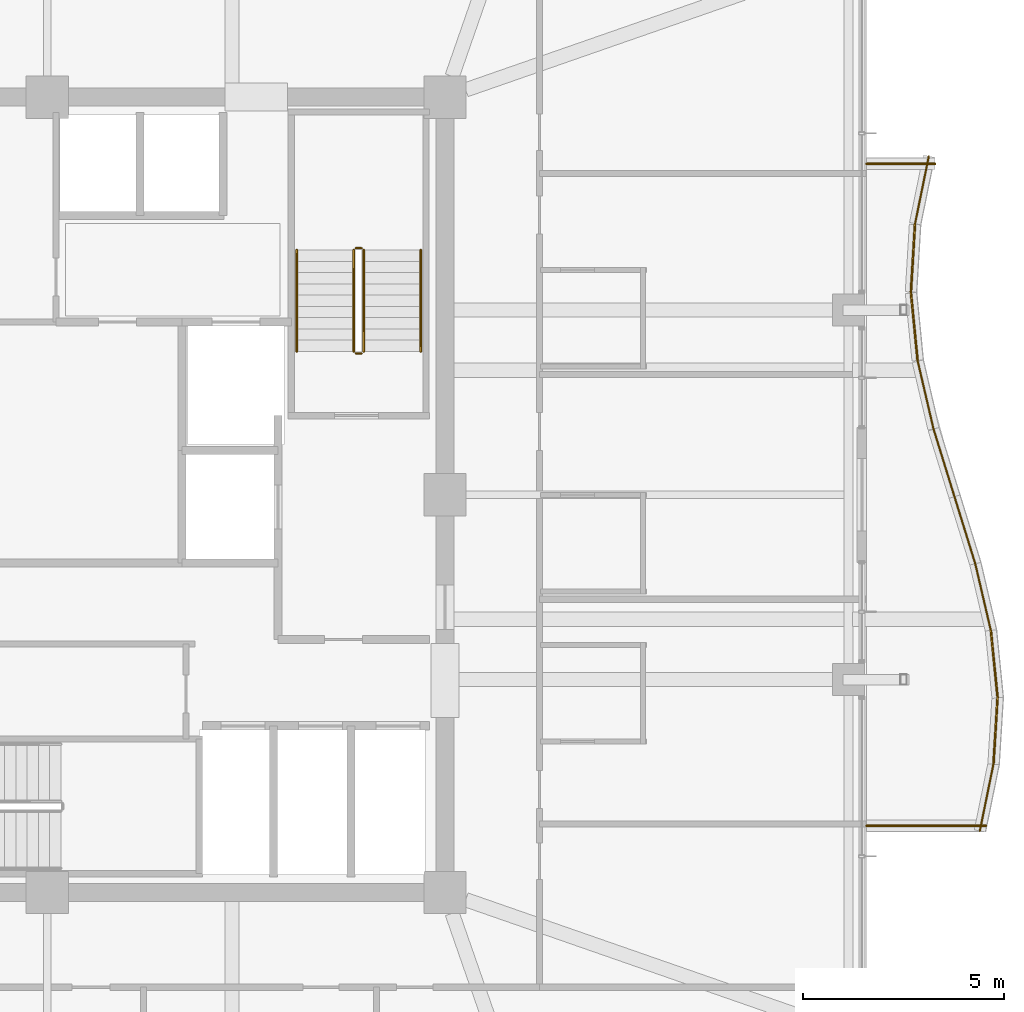
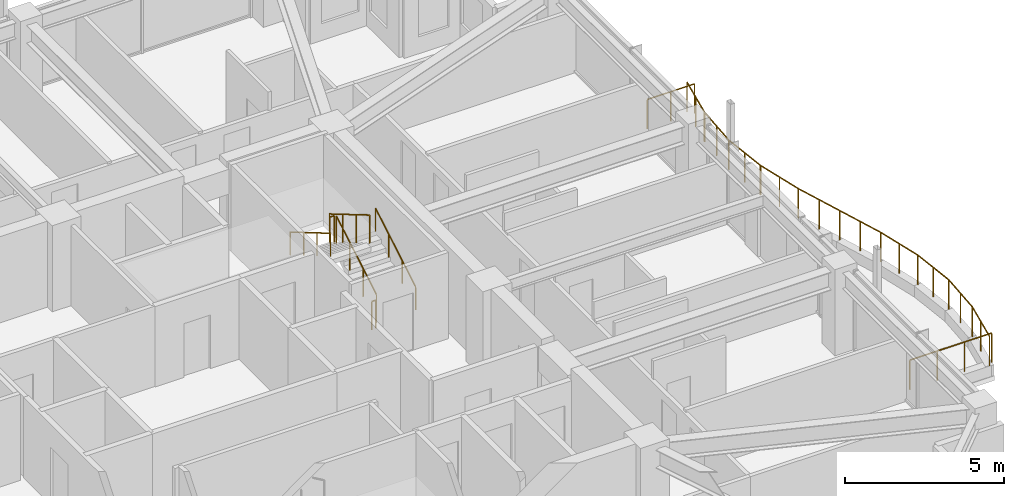
# One storey, part 35 of 35: 18 railings.
"""IFC4 building model written with IfcOpenShell, lengths in metres."""

from ifc_helpers import new_model, si_unit, direction, frame, origin, origin_2d, place, context, subcontext, project, spatial, circle, extrude, material, type_object, element, save


model = new_model("IFC4")

# Units and contexts
model_context = context("Model", 3, precision=1e-05, world=origin(), true_north=direction((0.0, 1.0)))
body_context = subcontext(model_context, "Body", "Model", "MODEL_VIEW")
ifc_project = project(units=[si_unit("LENGTHUNIT", "METRE"), si_unit("AREAUNIT", "SQUARE_METRE"), si_unit("VOLUMEUNIT", "CUBIC_METRE"), si_unit("PLANEANGLEUNIT", "RADIAN"), si_unit("MASSUNIT", "GRAM", prefix="KILO")], contexts=[model_context])

# Site, building, storey
site_placement = place(None, origin())
site = spatial("IfcSite", under=ifc_project, at=site_placement, CompositionType="ELEMENT")
building_placement = place(site_placement, origin())
building = spatial("IfcBuilding", under=site, at=building_placement, Name="Kolvaren Belvedere", CompositionType="ELEMENT")
storey_placement = place(building_placement, frame((0.0, 0.0, 216.300048828125)))
storey = spatial("IfcBuildingStorey", under=building, at=storey_placement, Name="L63", CompositionType="ELEMENT", Elevation=216.300048828125)

# Railings
ifc_material_1 = material(Name="Anodised pale-metal aluminium & laminated glass guard", Category="aluminium")
railing_type_1 = type_object("IfcRailingType", Name="RL-GUARD-1150", PredefinedType="GUARDRAIL", material=ifc_material_1)
railing_1_placement = place(storey_placement, frame((23.218017578125, -8.367919921875, 0.3798828125)))
element("IfcRailing", 1, at=railing_1_placement, inside=storey, type_object=railing_type_1, Name="L63 Exterior Deck Safety Guard BAL-E-1", PredefinedType="GUARDRAIL", context=body_context, shape_type="SweptSolid", body=[
    extrude(circle(Radius=0.02392578125, at=origin_2d()), frame((0.0, 0.0, 1.1259765625), z_axis=(0.199647526069, 0.979867779516, 0.0), x_axis=(-0.979867779516, 0.199647526069, 0.0)), (0.0, 0.0, 1.0), 1.71435546875),
    extrude(circle(Radius=0.02099609375, at=origin_2d()), origin(), (0.0, 0.0, 1.0), 1.101806640625),
    extrude(circle(Radius=0.02099609375, at=origin_2d()), frame((0.171142578125, 0.83984375, 0.0)), (0.0, 0.0, 1.0), 1.101806640625),
    extrude(circle(Radius=0.02099609375, at=origin_2d()), frame((0.34228515625, 1.679931640625, 0.0)), (0.0, 0.0, 1.0), 1.101806640625),
])
railing_2_placement = place(storey_placement, frame((23.5576171875, -6.710205078125, 0.3798828125)))
element("IfcRailing", 2, at=railing_2_placement, inside=storey, type_object=railing_type_1, Name="L63 Exterior Deck Safety Guard BAL-E-2", PredefinedType="GUARDRAIL", context=body_context, shape_type="SweptSolid", body=[
    extrude(circle(Radius=0.02392578125, at=origin_2d()), frame((0.0, 0.0, 1.1259765625), z_axis=(0.061068773295, 0.998133560666, 0.0), x_axis=(-0.998133560666, 0.061068773295, 0.0)), (0.0, 0.0, 1.0), 1.68310546875),
    extrude(circle(Radius=0.02099609375, at=origin_2d()), origin(), (0.0, 0.0, 1.0), 1.101806640625),
    extrude(circle(Radius=0.02099609375, at=origin_2d()), frame((0.05126953125, 0.83984375, 0.0)), (0.0, 0.0, 1.0), 1.101806640625),
    extrude(circle(Radius=0.02099609375, at=origin_2d()), frame((0.102783203125, 1.679931640625, 0.0)), (0.0, 0.0, 1.0), 1.101806640625),
])
railing_3_placement = place(storey_placement, frame((23.660888671875, -5.055908203125, 0.3798828125)))
element("IfcRailing", 3, at=railing_3_placement, inside=storey, type_object=railing_type_1, Name="L63 Exterior Deck Safety Guard BAL-E-3", PredefinedType="GUARDRAIL", context=body_context, shape_type="SweptSolid", body=[
    extrude(circle(Radius=0.02392578125, at=origin_2d()), frame((0.0, 0.0, 1.1259765625), z_axis=(-0.099632573776, 0.995024296308, 0.0), x_axis=(-0.995024296308, -0.099632573776, 0.0)), (0.0, 0.0, 1.0), 1.688232421875),
    extrude(circle(Radius=0.02099609375, at=origin_2d()), origin(), (0.0, 0.0, 1.0), 1.101806640625),
    extrude(circle(Radius=0.02099609375, at=origin_2d()), frame((-0.083984375, 0.83984375, 0.0)), (0.0, 0.0, 1.0), 1.101806640625),
    extrude(circle(Radius=0.02099609375, at=origin_2d()), frame((-0.168212890625, 1.679931640625, 0.0)), (0.0, 0.0, 1.0), 1.101806640625),
])
railing_4_placement = place(storey_placement, frame((23.49609375, -3.396240234375, 0.3798828125)))
element("IfcRailing", 4, at=railing_4_placement, inside=storey, type_object=railing_type_1, Name="L63 Exterior Deck Safety Guard BAL-E-4", PredefinedType="GUARDRAIL", context=body_context, shape_type="SweptSolid", body=[
    extrude(circle(Radius=0.02392578125, at=origin_2d()), frame((0.0, 0.0, 1.1259765625), z_axis=(-0.227019323824, 0.973890253884, 0.0), x_axis=(-0.973890253884, -0.227019323824, 0.0)), (0.0, 0.0, 1.0), 1.724853515625),
    extrude(circle(Radius=0.02099609375, at=origin_2d()), origin(), (0.0, 0.0, 1.0), 1.101806640625),
    extrude(circle(Radius=0.02099609375, at=origin_2d()), frame((-0.19580078125, 0.83984375, 0.0)), (0.0, 0.0, 1.0), 1.101806640625),
    extrude(circle(Radius=0.02099609375, at=origin_2d()), frame((-0.3916015625, 1.679931640625, 0.0)), (0.0, 0.0, 1.0), 1.101806640625),
])
railing_5_placement = place(storey_placement, frame((23.107421875, -1.727294921875, 0.3798828125)))
element("IfcRailing", 5, at=railing_5_placement, inside=storey, type_object=railing_type_1, Name="L63 Exterior Deck Safety Guard BAL-E-5", PredefinedType="GUARDRAIL", context=body_context, shape_type="SweptSolid", body=[
    extrude(circle(Radius=0.02392578125, at=origin_2d()), frame((0.0, 0.0, 1.1259765625), z_axis=(-0.295831524561, 0.95524013163, 0.0), x_axis=(-0.95524013163, -0.295831524561, 0.0)), (0.0, 0.0, 1.0), 1.758544921875),
    extrude(circle(Radius=0.02099609375, at=origin_2d()), origin(), (0.0, 0.0, 1.0), 1.101806640625),
    extrude(circle(Radius=0.02099609375, at=origin_2d()), frame((-0.26025390625, 0.83984375, 0.0)), (0.0, 0.0, 1.0), 1.101806640625),
    extrude(circle(Radius=0.02099609375, at=origin_2d()), frame((-0.520263671875, 1.679931640625, 0.0)), (0.0, 0.0, 1.0), 1.101806640625),
])
railing_6_placement = place(storey_placement, frame((22.587158203125, -0.04736328125, 0.3798828125)))
element("IfcRailing", 6, at=railing_6_placement, inside=storey, type_object=railing_type_1, Name="L63 Exterior Deck Safety Guard BAL-E-6", PredefinedType="GUARDRAIL", context=body_context, shape_type="SweptSolid", body=[
    extrude(circle(Radius=0.02392578125, at=origin_2d()), frame((0.0, 0.0, 1.1259765625), z_axis=(-0.29579229954, 0.955252278476, 0.0), x_axis=(-0.955252278476, -0.29579229954, 0.0)), (0.0, 0.0, 1.0), 1.7587890625),
    extrude(circle(Radius=0.02099609375, at=origin_2d()), origin(), (0.0, 0.0, 1.0), 1.101806640625),
    extrude(circle(Radius=0.02099609375, at=origin_2d()), frame((-0.26025390625, 0.840087890625, 0.0)), (0.0, 0.0, 1.0), 1.101806640625),
    extrude(circle(Radius=0.02099609375, at=origin_2d()), frame((-0.520263671875, 1.68017578125, 0.0)), (0.0, 0.0, 1.0), 1.101806640625),
])
railing_7_placement = place(storey_placement, frame((22.06396484375, 1.643798828125, 0.3798828125)))
element("IfcRailing", 7, at=railing_7_placement, inside=storey, type_object=railing_type_1, Name="L63 Exterior Deck Safety Guard BAL-E-7", PredefinedType="GUARDRAIL", context=body_context, shape_type="SweptSolid", body=[
    extrude(circle(Radius=0.02392578125, at=origin_2d()), frame((0.0, 0.0, 1.1259765625), z_axis=(-0.227019323824, 0.973890253884, 0.0), x_axis=(-0.973890253884, -0.227019323824, 0.0)), (0.0, 0.0, 1.0), 1.724853515625),
    extrude(circle(Radius=0.02099609375, at=origin_2d()), origin(), (0.0, 0.0, 1.0), 1.101806640625),
    extrude(circle(Radius=0.02099609375, at=origin_2d()), frame((-0.19580078125, 0.83984375, 0.0)), (0.0, 0.0, 1.0), 1.101806640625),
    extrude(circle(Radius=0.02099609375, at=origin_2d()), frame((-0.3916015625, 1.679931640625, 0.0)), (0.0, 0.0, 1.0), 1.101806640625),
])
railing_8_placement = place(storey_placement, frame((21.6689453125, 3.34423828125, 0.3798828125)))
element("IfcRailing", 8, at=railing_8_placement, inside=storey, type_object=railing_type_1, Name="L63 Exterior Deck Safety Guard BAL-E-8", PredefinedType="GUARDRAIL", context=body_context, shape_type="SweptSolid", body=[
    extrude(circle(Radius=0.02392578125, at=origin_2d()), frame((0.0, 0.0, 1.1259765625), z_axis=(-0.098329649867, 0.995153897624, 0.0), x_axis=(-0.995153897624, -0.098329649867, 0.0)), (0.0, 0.0, 1.0), 1.6884765625),
    extrude(circle(Radius=0.02099609375, at=origin_2d()), origin(), (0.0, 0.0, 1.0), 1.101806640625),
    extrude(circle(Radius=0.02099609375, at=origin_2d()), frame((-0.0830078125, 0.840087890625, 0.0)), (0.0, 0.0, 1.0), 1.101806640625),
    extrude(circle(Radius=0.02099609375, at=origin_2d()), frame((-0.166015625, 1.68017578125, 0.0)), (0.0, 0.0, 1.0), 1.101806640625),
])
railing_9_placement = place(storey_placement, frame((21.50244140625, 5.049560546875, 0.3798828125)))
element("IfcRailing", 9, at=railing_9_placement, inside=storey, type_object=railing_type_1, Name="L63 Exterior Deck Safety Guard BAL-E-9", PredefinedType="GUARDRAIL", context=body_context, shape_type="SweptSolid", body=[
    extrude(circle(Radius=0.02392578125, at=origin_2d()), frame((0.0, 0.0, 1.1259765625), z_axis=(0.059767979379, 0.998212296378, 0.0), x_axis=(-0.998212296378, 0.059767979379, 0.0)), (0.0, 0.0, 1.0), 1.682861328125),
    extrude(circle(Radius=0.02099609375, at=origin_2d()), origin(), (0.0, 0.0, 1.0), 1.101806640625),
    extrude(circle(Radius=0.02099609375, at=origin_2d()), frame((0.05029296875, 0.83984375, 0.0)), (0.0, 0.0, 1.0), 1.101806640625),
    extrude(circle(Radius=0.02099609375, at=origin_2d()), frame((0.1005859375, 1.679931640625, 0.0)), (0.0, 0.0, 1.0), 1.101806640625),
])
railing_10_placement = place(storey_placement, frame((21.60595703125, 6.751953125, 0.3798828125)))
element("IfcRailing", 10, at=railing_10_placement, inside=storey, type_object=railing_type_1, Name="L63 Exterior Deck Safety Guard BAL-E-10", PredefinedType="GUARDRAIL", context=body_context, shape_type="SweptSolid", body=[
    extrude(circle(Radius=0.02392578125, at=origin_2d()), frame((0.0, 0.0, 1.1259765625), z_axis=(0.199784246163, 0.979839912937, 0.0), x_axis=(-0.979839912937, 0.199784246163, 0.0)), (0.0, 0.0, 1.0), 1.714599609375),
    extrude(circle(Radius=0.02099609375, at=origin_2d()), origin(), (0.0, 0.0, 1.0), 1.101806640625),
    extrude(circle(Radius=0.02099609375, at=origin_2d()), frame((0.17138671875, 0.83984375, 0.0)), (0.0, 0.0, 1.0), 1.101806640625),
    extrude(circle(Radius=0.02099609375, at=origin_2d()), frame((0.342529296875, 1.679931640625, 0.0)), (0.0, 0.0, 1.0), 1.101806640625),
])
railing_11_placement = place(storey_placement, frame((22.105224609375, 8.239990234375, 0.3798828125)))
element("IfcRailing", 11, at=railing_11_placement, inside=storey, type_object=railing_type_1, Name="L63 Exterior Deck Safety Guard BAL-E-11", PredefinedType="GUARDRAIL", context=body_context, shape_type="SweptSolid", body=[
    extrude(circle(Radius=0.02392578125, at=origin_2d()), frame((0.0, 0.0, 1.1259765625), z_axis=(-1.0, 0.0, 0.0), x_axis=(0.0, -1.0, 0.0)), (0.0, 0.0, 1.0), 1.705322265625),
    extrude(circle(Radius=0.02099609375, at=origin_2d()), origin(), (0.0, 0.0, 1.0), 1.101806640625),
    extrude(circle(Radius=0.02099609375, at=origin_2d()), frame((-0.8525390625, 0.0, 0.0)), (0.0, 0.0, 1.0), 1.101806640625),
    extrude(circle(Radius=0.02099609375, at=origin_2d()), frame((-1.705322265625, 0.0, 0.0)), (0.0, 0.0, 1.0), 1.101806640625),
])
railing_12_placement = place(storey_placement, frame((20.39990234375, -8.239990234375, 0.3798828125)))
element("IfcRailing", 12, at=railing_12_placement, inside=storey, type_object=railing_type_1, Name="L63 Exterior Deck Safety Guard BAL-E-22", PredefinedType="GUARDRAIL", context=body_context, shape_type="SweptSolid", body=[
    extrude(circle(Radius=0.02392578125, at=origin_2d()), frame((0.0, 0.0, 1.1259765625), z_axis=(1.0, 0.0, 0.0), x_axis=(0.0, 1.0, 0.0)), (0.0, 0.0, 1.0), 2.974853515625),
    extrude(circle(Radius=0.02099609375, at=origin_2d()), origin(), (0.0, 0.0, 1.0), 1.101806640625),
    extrude(circle(Radius=0.02099609375, at=origin_2d()), frame((0.99169921875, 0.0, 0.0)), (0.0, 0.0, 1.0), 1.101806640625),
    extrude(circle(Radius=0.02099609375, at=origin_2d()), frame((1.983154296875, 0.0, 0.0)), (0.0, 0.0, 1.0), 1.101806640625),
    extrude(circle(Radius=0.02099609375, at=origin_2d()), frame((2.974853515625, 0.0, 0.0)), (0.0, 0.0, 1.0), 1.101806640625),
])
ifc_material_2 = material(Name="Brushed stainless-steel handrail", Category="steel")
railing_type_2 = type_object("IfcRailingType", Name="RL-HANDRAIL-920", PredefinedType="HANDRAIL", material=ifc_material_2)
railing_13_placement = place(storey_placement, frame((9.300048828125, 3.570068359375, 0.1650390625)))
element("IfcRailing", 13, at=railing_13_placement, inside=storey, type_object=railing_type_2, Name="L63 ST-2 stair handrail 1", PredefinedType="HANDRAIL", context=body_context, shape_type="SweptSolid", body=[
    extrude(circle(Radius=0.02392578125, at=origin_2d()), frame((0.0, 0.0, 0.8759765625), z_axis=(0.0, 0.861560626758, 0.507654692109), x_axis=(-1.0, 0.0, 0.0)), (0.0, 0.0, 1.0), 2.925048828125),
    extrude(circle(Radius=0.02099609375, at=origin_2d()), origin(), (0.0, 0.0, 1.0), 0.851806640625),
    extrude(circle(Radius=0.02099609375, at=origin_2d()), frame((0.0, 0.840087890625, 0.494873046875)), (0.0, 0.0, 1.0), 0.851806640625),
    extrude(circle(Radius=0.02099609375, at=origin_2d()), frame((0.0, 1.679931640625, 0.989990234375)), (0.0, 0.0, 1.0), 0.851806640625),
    extrude(circle(Radius=0.02099609375, at=origin_2d()), frame((0.0, 2.52001953125, 1.48486328125)), (0.0, 0.0, 1.0), 0.851806640625),
])
railing_14_placement = place(storey_placement, frame((6.2099609375, 6.090087890625, 1.81494140625)))
element("IfcRailing", 14, at=railing_14_placement, inside=storey, type_object=railing_type_2, Name="L63 ST-2 stair handrail 2", PredefinedType="HANDRAIL", context=body_context, shape_type="SweptSolid", body=[
    extrude(circle(Radius=0.02392578125, at=origin_2d()), frame((0.0, 0.0, 0.8759765625), z_axis=(0.0, -0.86152411907, 0.507716645641), x_axis=(1.0, 0.0, 0.0)), (0.0, 0.0, 1.0), 2.925048828125),
    extrude(circle(Radius=0.02099609375, at=origin_2d()), origin(), (0.0, 0.0, 1.0), 0.851806640625),
    extrude(circle(Radius=0.02099609375, at=origin_2d()), frame((0.0, -0.840087890625, 0.4951171875)), (0.0, 0.0, 1.0), 0.851806640625),
    extrude(circle(Radius=0.02099609375, at=origin_2d()), frame((0.0, -1.679931640625, 0.989990234375)), (0.0, 0.0, 1.0), 0.851806640625),
    extrude(circle(Radius=0.02099609375, at=origin_2d()), frame((0.0, -2.52001953125, 1.485107421875)), (0.0, 0.0, 1.0), 0.851806640625),
])
ifc_material_3 = material(Name="Painted tubular steel stair guard", Category="steel")
railing_type_3 = type_object("IfcRailingType", Name="RL-STGUARD-1100", PredefinedType="GUARDRAIL", material=ifc_material_3)
railing_15_placement = place(storey_placement, frame((7.8798828125, 3.570068359375, 0.1650390625)))
element("IfcRailing", 15, at=railing_15_placement, inside=storey, type_object=railing_type_3, Name="L63 ST-2 stair guard 1", PredefinedType="GUARDRAIL", context=body_context, shape_type="SweptSolid", body=[
    extrude(circle(Radius=0.02392578125, at=origin_2d()), frame((0.0, 0.0, 1.076171875), z_axis=(0.0, 0.861560626758, 0.507654692109), x_axis=(-1.0, 0.0, 0.0)), (0.0, 0.0, 1.0), 2.925048828125),
    extrude(circle(Radius=0.02099609375, at=origin_2d()), origin(), (0.0, 0.0, 1.0), 1.052001953125),
    extrude(circle(Radius=0.02099609375, at=origin_2d()), frame((0.0, 0.840087890625, 0.494873046875)), (0.0, 0.0, 1.0), 1.052001953125),
    extrude(circle(Radius=0.02099609375, at=origin_2d()), frame((0.0, 1.679931640625, 0.989990234375)), (0.0, 0.0, 1.0), 1.052001953125),
    extrude(circle(Radius=0.02099609375, at=origin_2d()), frame((0.0, 2.52001953125, 1.48486328125)), (0.0, 0.0, 1.0), 1.052001953125),
])
railing_16_placement = place(storey_placement, frame((7.830078125, 6.139892578125, 1.64990234375)))
element("IfcRailing", 16, at=railing_16_placement, inside=storey, type_object=railing_type_3, Name="L63 ST-2 stair guard 2", PredefinedType="GUARDRAIL", context=body_context, shape_type="SweptSolid", body=[
    extrude(circle(Radius=0.02392578125, at=origin_2d()), frame((0.0, 0.0, 1.076171875), z_axis=(-1.0, 0.0, 0.0), x_axis=(0.0, -1.0, 0.0)), (0.0, 0.0, 1.0), 0.150146484375),
    extrude(circle(Radius=0.02099609375, at=origin_2d()), origin(), (0.0, 0.0, 1.0), 1.052001953125),
    extrude(circle(Radius=0.02099609375, at=origin_2d()), frame((-0.150146484375, 0.0, 0.0)), (0.0, 0.0, 1.0), 1.052001953125),
])
railing_17_placement = place(storey_placement, frame((7.6298828125, 6.090087890625, 1.81494140625)))
element("IfcRailing", 17, at=railing_17_placement, inside=storey, type_object=railing_type_3, Name="L63 ST-2 stair guard 3", PredefinedType="GUARDRAIL", context=body_context, shape_type="SweptSolid", body=[
    extrude(circle(Radius=0.02392578125, at=origin_2d()), frame((0.0, 0.0, 1.076171875), z_axis=(0.0, -0.86152411907, 0.507716645641), x_axis=(1.0, 0.0, 0.0)), (0.0, 0.0, 1.0), 2.925048828125),
    extrude(circle(Radius=0.02099609375, at=origin_2d()), origin(), (0.0, 0.0, 1.0), 1.052001953125),
    extrude(circle(Radius=0.02099609375, at=origin_2d()), frame((0.0, -0.840087890625, 0.4951171875)), (0.0, 0.0, 1.0), 1.052001953125),
    extrude(circle(Radius=0.02099609375, at=origin_2d()), frame((0.0, -1.679931640625, 0.989990234375)), (0.0, 0.0, 1.0), 1.052001953125),
    extrude(circle(Radius=0.02099609375, at=origin_2d()), frame((0.0, -2.52001953125, 1.485107421875)), (0.0, 0.0, 1.0), 1.052001953125),
])
railing_18_placement = place(storey_placement, frame((7.830078125, 3.52001953125, 0.0)))
element("IfcRailing", 18, at=railing_18_placement, inside=storey, type_object=railing_type_3, Name="L63 ST-2 stair guard 4", PredefinedType="GUARDRAIL", context=body_context, shape_type="SweptSolid", body=[
    extrude(circle(Radius=0.02392578125, at=origin_2d()), frame((0.0, 0.0, 1.076171875), z_axis=(-1.0, 0.0, 0.0), x_axis=(0.0, -1.0, 0.0)), (0.0, 0.0, 1.0), 0.150146484375),
    extrude(circle(Radius=0.02099609375, at=origin_2d()), origin(), (0.0, 0.0, 1.0), 1.052001953125),
    extrude(circle(Radius=0.02099609375, at=origin_2d()), frame((-0.150146484375, 0.0, 0.0)), (0.0, 0.0, 1.0), 1.052001953125),
])

save(model, "model.ifc")
